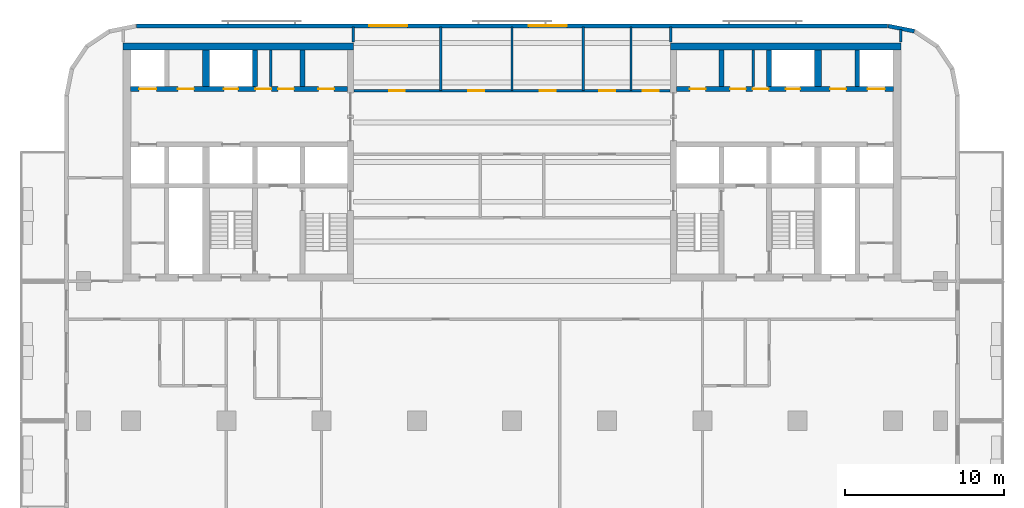
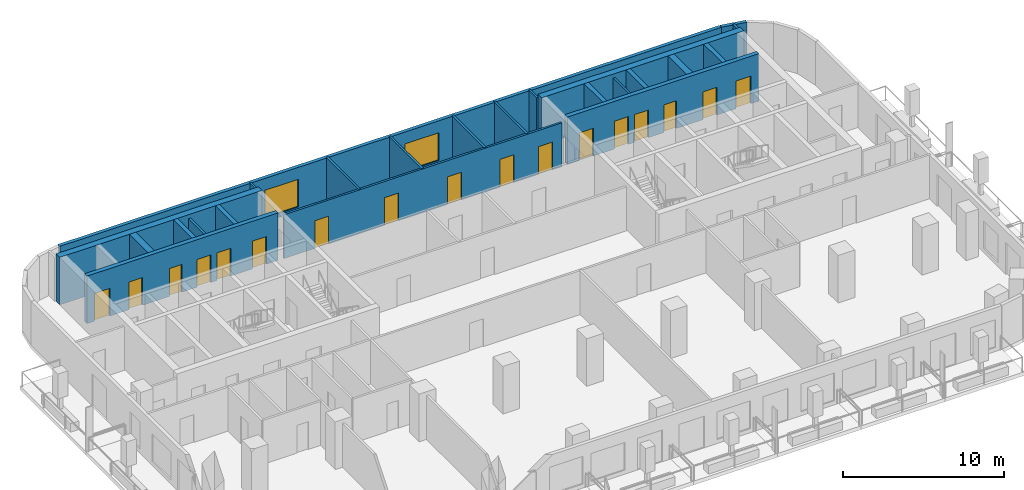
# One storey, part 6 of 11: 23 walls, 17 doors, 2 windows, 19 openings.
"""IFC4 building model written with IfcOpenShell, lengths in metres."""

from ifc_helpers import new_model, si_unit, direction, frame, frame_2d, origin, place, context, subcontext, project, spatial, rectangle, extrude, material, layer, layer_set, type_object, element, fill, save


model = new_model("IFC4")

# Units and contexts
model_context = context("Model", 3, precision=1e-05, world=origin(), true_north=direction((0.0, 1.0)))
body_context = subcontext(model_context, "Body", "Model", "MODEL_VIEW")
ifc_project = project(units=[si_unit("LENGTHUNIT", "METRE"), si_unit("AREAUNIT", "SQUARE_METRE"), si_unit("VOLUMEUNIT", "CUBIC_METRE"), si_unit("PLANEANGLEUNIT", "RADIAN"), si_unit("MASSUNIT", "GRAM", prefix="KILO")], contexts=[model_context])

# Site, building, storey
site_placement = place(None, origin())
site = spatial("IfcSite", under=ifc_project, at=site_placement, CompositionType="ELEMENT")
building_placement = place(site_placement, origin())
building = spatial("IfcBuilding", under=site, at=building_placement, Name="Torana Hotel and Residences", CompositionType="ELEMENT")
storey_placement = place(building_placement, frame((0.0, 0.0, 174.0)))
storey = spatial("IfcBuildingStorey", under=building, at=storey_placement, Name="L45", CompositionType="ELEMENT", Elevation=174.0)

# Wall, openings, doors
ifc_material_1 = material(Name="Concrete C70/85", Category="concrete")
ifc_layer_1 = layer(ifc_material_1, 0.300048828125)
ifc_layer_set_1 = layer_set([ifc_layer_1], Name="CORE WALL 300 C70/85")
wall_type_1 = type_object("IfcWallType", Name="CORE WALL 300 C70/85", PredefinedType="SHEAR", material=ifc_layer_set_1)
wall_1_placement = place(storey_placement, frame((-24.050048828125, -2.89990234375, 0.0), z_axis=(0.0, 0.0, 1.0), x_axis=(1.0, 0.0, 0.0)))
wall_1 = element("IfcWall", 1, at=wall_1_placement, inside=storey, type_object=wall_type_1, Name="Core wall W row-N", PredefinedType="SHEAR", context=body_context, shape_type="SweptSolid", body=[
    extrude(rectangle(XDim=13.699951171875, YDim=0.300048828125, at=frame_2d((6.85009765625, 0.0))), origin(), (0.0, 0.0, 1.0), 3.60009765625),
])
opening_1_placement = place(wall_1_placement, frame((0.550048828125, 0.0, 0.0)))
opening_1 = element("IfcOpeningElement", 2, at=opening_1_placement, cuts=wall_1, Name="Opening LD", PredefinedType="OPENING", context=body_context, shape_type="SweptSolid", body=[
    extrude(rectangle(XDim=1.10009765625, YDim=2.10009765625, at=frame_2d((0.550048828125, 1.050048828125))), frame((0.0, 0.159912109375, 0.0), z_axis=(0.0, -1.0, 0.0), x_axis=(1.0, 0.0, 0.0)), (0.0, 0.0, 1.0), 0.320068359375),
])
opening_2_placement = place(wall_1_placement, frame((5.89990234375, 0.0, 0.0)))
opening_2 = element("IfcOpeningElement", 3, at=opening_2_placement, cuts=wall_1, Name="Opening L45-08", PredefinedType="OPENING", context=body_context, shape_type="SweptSolid", body=[
    extrude(rectangle(XDim=0.89990234375, YDim=2.10009765625, at=frame_2d((0.449951171875, 1.050048828125))), frame((0.0, 0.159912109375, 0.0), z_axis=(0.0, -1.0, 0.0), x_axis=(1.0, 0.0, 0.0)), (0.0, 0.0, 1.0), 0.320068359375),
])
opening_3_placement = place(wall_1_placement, frame((11.85009765625, 0.0, 0.0)))
opening_3 = element("IfcOpeningElement", 4, at=opening_3_placement, cuts=wall_1, Name="Opening L45-09", PredefinedType="OPENING", context=body_context, shape_type="SweptSolid", body=[
    extrude(rectangle(XDim=1.0, YDim=2.10009765625, at=frame_2d((0.5, 1.050048828125))), frame((0.0, 0.159912109375, 0.0), z_axis=(0.0, -1.0, 0.0), x_axis=(1.0, 0.0, 0.0)), (0.0, 0.0, 1.0), 0.320068359375),
])
opening_4_placement = place(wall_1_placement, frame((9.3125, 0.0, 0.0)))
opening_4 = element("IfcOpeningElement", 5, at=opening_4_placement, cuts=wall_1, Name="Opening L45-10", PredefinedType="OPENING", context=body_context, shape_type="SweptSolid", body=[
    extrude(rectangle(XDim=1.0, YDim=2.10009765625, at=frame_2d((0.5, 1.050048828125))), frame((0.0, 0.159912109375, 0.0), z_axis=(0.0, -1.0, 0.0), x_axis=(1.0, 0.0, 0.0)), (0.0, 0.0, 1.0), 0.320068359375),
])
opening_5_placement = place(wall_1_placement, frame((7.887451171875, 0.0, 0.0)))
opening_5 = element("IfcOpeningElement", 6, at=opening_5_placement, cuts=wall_1, Name="Opening L45-11", PredefinedType="OPENING", context=body_context, shape_type="SweptSolid", body=[
    extrude(rectangle(XDim=1.0, YDim=2.10009765625, at=frame_2d((0.5, 1.050048828125))), frame((0.0, 0.159912109375, 0.0), z_axis=(0.0, -1.0, 0.0), x_axis=(1.0, 0.0, 0.0)), (0.0, 0.0, 1.0), 0.320068359375),
])
opening_6_placement = place(wall_1_placement, frame((3.0, 0.0, 0.0)))
opening_6 = element("IfcOpeningElement", 7, at=opening_6_placement, cuts=wall_1, Name="Opening L45-12", PredefinedType="OPENING", context=body_context, shape_type="SweptSolid", body=[
    extrude(rectangle(XDim=1.0, YDim=2.10009765625, at=frame_2d((0.5, 1.050048828125))), frame((0.0, 0.159912109375, 0.0), z_axis=(0.0, -1.0, 0.0), x_axis=(1.0, 0.0, 0.0)), (0.0, 0.0, 1.0), 0.320068359375),
])
ifc_material_2 = material(Name="Steel S235", Category="steel")
door_type_1 = type_object("IfcDoorType", Name="CORE ROOM FIRE DOOR D14 1000x2100", OperationType="SINGLE_SWING_LEFT", PredefinedType="DOOR", material=ifc_material_2)
door_1_placement = place(opening_3_placement, origin())
door_1 = element("IfcDoor", 8, at=door_1_placement, inside=storey, type_object=door_type_1, Name="N0 door L45", OperationType="SINGLE_SWING_RIGHT", OverallHeight=2.10009765625, OverallWidth=1.0, PredefinedType="DOOR", context=body_context, shape_type="SweptSolid", body=[
    extrude(rectangle(XDim=1.0, YDim=2.10009765625, at=frame_2d((0.5, 1.050048828125))), frame((0.0, 0.02490234375, 0.0), z_axis=(0.0, -1.0, 0.0), x_axis=(1.0, 0.0, 0.0)), (0.0, 0.0, 1.0), 0.050048828125),
])
fill(opening_3, door_1)
door_2_placement = place(opening_4_placement, origin())
door_2 = element("IfcDoor", 9, at=door_2_placement, inside=storey, type_object=door_type_1, Name="N1A door L45", OperationType="SINGLE_SWING_RIGHT", OverallHeight=2.10009765625, OverallWidth=1.0, PredefinedType="DOOR", context=body_context, shape_type="SweptSolid", body=[
    extrude(rectangle(XDim=1.0, YDim=2.10009765625, at=frame_2d((0.5, 1.050048828125))), frame((0.0, 0.02490234375, 0.0), z_axis=(0.0, -1.0, 0.0), x_axis=(1.0, 0.0, 0.0)), (0.0, 0.0, 1.0), 0.050048828125),
])
fill(opening_4, door_2)
door_3_placement = place(opening_5_placement, origin())
door_3 = element("IfcDoor", 10, at=door_3_placement, inside=storey, type_object=door_type_1, Name="N1B door L45", OperationType="SINGLE_SWING_RIGHT", OverallHeight=2.10009765625, OverallWidth=1.0, PredefinedType="DOOR", context=body_context, shape_type="SweptSolid", body=[
    extrude(rectangle(XDim=1.0, YDim=2.10009765625, at=frame_2d((0.5, 1.050048828125))), frame((0.0, 0.02490234375, 0.0), z_axis=(0.0, -1.0, 0.0), x_axis=(1.0, 0.0, 0.0)), (0.0, 0.0, 1.0), 0.050048828125),
])
fill(opening_5, door_3)
door_4_placement = place(opening_6_placement, origin())
door_4 = element("IfcDoor", 11, at=door_4_placement, inside=storey, type_object=door_type_1, Name="Freed-S1 door L45", OperationType="SINGLE_SWING_RIGHT", OverallHeight=2.10009765625, OverallWidth=1.0, PredefinedType="DOOR", context=body_context, shape_type="SweptSolid", body=[
    extrude(rectangle(XDim=1.0, YDim=2.10009765625, at=frame_2d((0.5, 1.050048828125))), frame((0.0, 0.02490234375, 0.0), z_axis=(0.0, -1.0, 0.0), x_axis=(1.0, 0.0, 0.0)), (0.0, 0.0, 1.0), 0.050048828125),
])
fill(opening_6, door_4)
ifc_material_3 = material(Name="Stainless steel 316", Category="steel")
door_type_2 = type_object("IfcDoorType", Name="LIFT LANDING DOOR LD 1100x2100", OperationType="DOUBLE_DOOR_SLIDING", PredefinedType="USERDEFINED", material=ifc_material_3)
door_5_placement = place(opening_1_placement, origin())
door_5 = element("IfcDoor", 12, at=door_5_placement, inside=storey, type_object=door_type_2, Name="Lift landing door M1 L45", ObjectType="LIFT LANDING DOOR", OperationType="DOUBLE_DOOR_SLIDING", OverallHeight=2.10009765625, OverallWidth=1.10009765625, PredefinedType="USERDEFINED", context=body_context, shape_type="SweptSolid", body=[
    extrude(rectangle(XDim=1.10009765625, YDim=2.10009765625, at=frame_2d((0.550048828125, 1.050048828125))), frame((0.0, 0.02490234375, 0.0), z_axis=(0.0, -1.0, 0.0), x_axis=(1.0, 0.0, 0.0)), (0.0, 0.0, 1.0), 0.050048828125),
])
fill(opening_1, door_5)
ifc_material_4 = material(Name="Steel S235", Category="steel")
door_type_3 = type_object("IfcDoorType", Name="RISER ACCESS DOOR D5 900x2100", OperationType="SINGLE_SWING_LEFT", PredefinedType="DOOR", material=ifc_material_4)
door_6_placement = place(opening_2_placement, origin())
door_6 = element("IfcDoor", 13, at=door_6_placement, inside=storey, type_object=door_type_3, Name="N2 door L45", OperationType="SINGLE_SWING_RIGHT", OverallHeight=2.10009765625, OverallWidth=0.89990234375, PredefinedType="DOOR", context=body_context, shape_type="SweptSolid", body=[
    extrude(rectangle(XDim=0.89990234375, YDim=2.10009765625, at=frame_2d((0.449951171875, 1.050048828125))), frame((0.0, 0.02490234375, 0.0), z_axis=(0.0, -1.0, 0.0), x_axis=(1.0, 0.0, 0.0)), (0.0, 0.0, 1.0), 0.050048828125),
])
fill(opening_2, door_6)

# Walls
for number, where, z_axis, x_axis, name in (
    (14, (-13.199951171875, -2.75, 0.0), (0.0, 0.0, 1.0), (0.0, 1.0, 0.0), "Core wall W x3.05-N"),
    (15, (-16.199951171875, -2.75, 0.0), (0.0, 0.0, 1.0), (0.0, 1.0, 0.0), "Core wall W x6.05-N"),
):
    element("IfcWall", number, at=place(storey_placement, frame(where, z_axis=z_axis, x_axis=x_axis)), inside=storey, type_object=wall_type_1, Name=name, PredefinedType="SHEAR", context=body_context, shape_type="SweptSolid", body=[
        extrude(rectangle(XDim=2.300048828125, YDim=0.300048828125, at=frame_2d((1.14990234375, 0.0))), origin(), (0.0, 0.0, 1.0), 3.60009765625),
    ])

# Wall, openings, doors
wall_2_placement = place(storey_placement, frame((10.35009765625, -2.89990234375, 0.0), z_axis=(0.0, 0.0, 1.0), x_axis=(1.0, 0.0, 0.0)))
wall_2 = element("IfcWall", 16, at=wall_2_placement, inside=storey, type_object=wall_type_1, Name="Core wall E row-N", PredefinedType="SHEAR", context=body_context, shape_type="SweptSolid", body=[
    extrude(rectangle(XDim=13.699951171875, YDim=0.300048828125, at=frame_2d((6.85009765625, 0.0))), origin(), (0.0, 0.0, 1.0), 3.60009765625),
])
opening_7_placement = place(wall_2_placement, frame((12.050048828125, 0.0, 0.0)))
opening_7 = element("IfcOpeningElement", 17, at=opening_7_placement, cuts=wall_2, Name="Opening LD", PredefinedType="OPENING", context=body_context, shape_type="SweptSolid", body=[
    extrude(rectangle(XDim=1.10009765625, YDim=2.10009765625, at=frame_2d((0.550048828125, 1.050048828125))), frame((0.0, 0.159912109375, 0.0), z_axis=(0.0, -1.0, 0.0), x_axis=(1.0, 0.0, 0.0)), (0.0, 0.0, 1.0), 0.320068359375),
])
opening_8_placement = place(wall_2_placement, frame((6.89990234375, 0.0, 0.0)))
opening_8 = element("IfcOpeningElement", 18, at=opening_8_placement, cuts=wall_2, Name="Opening L45-22", PredefinedType="OPENING", context=body_context, shape_type="SweptSolid", body=[
    extrude(rectangle(XDim=0.89990234375, YDim=2.10009765625, at=frame_2d((0.449951171875, 1.050048828125))), frame((0.0, 0.159912109375, 0.0), z_axis=(0.0, -1.0, 0.0), x_axis=(1.0, 0.0, 0.0)), (0.0, 0.0, 1.0), 0.320068359375),
])
opening_9_placement = place(wall_2_placement, frame((0.85009765625, 0.0, 0.0)))
opening_9 = element("IfcOpeningElement", 19, at=opening_9_placement, cuts=wall_2, Name="Opening L45-23", PredefinedType="OPENING", context=body_context, shape_type="SweptSolid", body=[
    extrude(rectangle(XDim=1.0, YDim=2.10009765625, at=frame_2d((0.5, 1.050048828125))), frame((0.0, 0.159912109375, 0.0), z_axis=(0.0, -1.0, 0.0), x_axis=(1.0, 0.0, 0.0)), (0.0, 0.0, 1.0), 0.320068359375),
])
opening_10_placement = place(wall_2_placement, frame((3.387451171875, 0.0, 0.0)))
opening_10 = element("IfcOpeningElement", 20, at=opening_10_placement, cuts=wall_2, Name="Opening L45-24", PredefinedType="OPENING", context=body_context, shape_type="SweptSolid", body=[
    extrude(rectangle(XDim=1.0, YDim=2.10009765625, at=frame_2d((0.5, 1.050048828125))), frame((0.0, 0.159912109375, 0.0), z_axis=(0.0, -1.0, 0.0), x_axis=(1.0, 0.0, 0.0)), (0.0, 0.0, 1.0), 0.320068359375),
])
opening_11_placement = place(wall_2_placement, frame((4.8125, 0.0, 0.0)))
opening_11 = element("IfcOpeningElement", 21, at=opening_11_placement, cuts=wall_2, Name="Opening L45-25", PredefinedType="OPENING", context=body_context, shape_type="SweptSolid", body=[
    extrude(rectangle(XDim=1.0, YDim=2.10009765625, at=frame_2d((0.5, 1.050048828125))), frame((0.0, 0.159912109375, 0.0), z_axis=(0.0, -1.0, 0.0), x_axis=(1.0, 0.0, 0.0)), (0.0, 0.0, 1.0), 0.320068359375),
])
opening_12_placement = place(wall_2_placement, frame((9.699951171875, 0.0, 0.0)))
opening_12 = element("IfcOpeningElement", 22, at=opening_12_placement, cuts=wall_2, Name="Opening L45-26", PredefinedType="OPENING", context=body_context, shape_type="SweptSolid", body=[
    extrude(rectangle(XDim=1.0, YDim=2.10009765625, at=frame_2d((0.5, 1.050048828125))), frame((0.0, 0.159912109375, 0.0), z_axis=(0.0, -1.0, 0.0), x_axis=(1.0, 0.0, 0.0)), (0.0, 0.0, 1.0), 0.320068359375),
])
door_7_placement = place(opening_9_placement, origin())
door_7 = element("IfcDoor", 23, at=door_7_placement, inside=storey, type_object=door_type_1, Name="N0 door L45", OperationType="SINGLE_SWING_RIGHT", OverallHeight=2.10009765625, OverallWidth=1.0, PredefinedType="DOOR", context=body_context, shape_type="SweptSolid", body=[
    extrude(rectangle(XDim=1.0, YDim=2.10009765625, at=frame_2d((0.5, 1.050048828125))), frame((0.0, 0.02490234375, 0.0), z_axis=(0.0, -1.0, 0.0), x_axis=(1.0, 0.0, 0.0)), (0.0, 0.0, 1.0), 0.050048828125),
])
fill(opening_9, door_7)
door_8_placement = place(opening_10_placement, origin())
door_8 = element("IfcDoor", 24, at=door_8_placement, inside=storey, type_object=door_type_1, Name="N1A door L45", OperationType="SINGLE_SWING_RIGHT", OverallHeight=2.10009765625, OverallWidth=1.0, PredefinedType="DOOR", context=body_context, shape_type="SweptSolid", body=[
    extrude(rectangle(XDim=1.0, YDim=2.10009765625, at=frame_2d((0.5, 1.050048828125))), frame((0.0, 0.02490234375, 0.0), z_axis=(0.0, -1.0, 0.0), x_axis=(1.0, 0.0, 0.0)), (0.0, 0.0, 1.0), 0.050048828125),
])
fill(opening_10, door_8)
door_9_placement = place(opening_11_placement, origin())
door_9 = element("IfcDoor", 25, at=door_9_placement, inside=storey, type_object=door_type_1, Name="N1B door L45", OperationType="SINGLE_SWING_LEFT", OverallHeight=2.10009765625, OverallWidth=1.0, PredefinedType="DOOR", context=body_context, shape_type="SweptSolid", body=[
    extrude(rectangle(XDim=1.0, YDim=2.10009765625, at=frame_2d((0.5, 1.050048828125))), frame((0.0, 0.02490234375, 0.0), z_axis=(0.0, -1.0, 0.0), x_axis=(1.0, 0.0, 0.0)), (0.0, 0.0, 1.0), 0.050048828125),
])
fill(opening_11, door_9)
door_10_placement = place(opening_12_placement, origin())
door_10 = element("IfcDoor", 26, at=door_10_placement, inside=storey, type_object=door_type_1, Name="Freed-S2 door L45", OperationType="SINGLE_SWING_RIGHT", OverallHeight=2.10009765625, OverallWidth=1.0, PredefinedType="DOOR", context=body_context, shape_type="SweptSolid", body=[
    extrude(rectangle(XDim=1.0, YDim=2.10009765625, at=frame_2d((0.5, 1.050048828125))), frame((0.0, 0.02490234375, 0.0), z_axis=(0.0, -1.0, 0.0), x_axis=(1.0, 0.0, 0.0)), (0.0, 0.0, 1.0), 0.050048828125),
])
fill(opening_12, door_10)
door_11_placement = place(opening_7_placement, origin())
door_11 = element("IfcDoor", 27, at=door_11_placement, inside=storey, type_object=door_type_2, Name="Lift landing door M3 L45", ObjectType="LIFT LANDING DOOR", OperationType="DOUBLE_DOOR_SLIDING", OverallHeight=2.10009765625, OverallWidth=1.10009765625, PredefinedType="USERDEFINED", context=body_context, shape_type="SweptSolid", body=[
    extrude(rectangle(XDim=1.10009765625, YDim=2.10009765625, at=frame_2d((0.550048828125, 1.050048828125))), frame((0.0, 0.02490234375, 0.0), z_axis=(0.0, -1.0, 0.0), x_axis=(1.0, 0.0, 0.0)), (0.0, 0.0, 1.0), 0.050048828125),
])
fill(opening_7, door_11)
door_12_placement = place(opening_8_placement, origin())
door_12 = element("IfcDoor", 28, at=door_12_placement, inside=storey, type_object=door_type_3, Name="N2 door L45", OperationType="SINGLE_SWING_RIGHT", OverallHeight=2.10009765625, OverallWidth=0.89990234375, PredefinedType="DOOR", context=body_context, shape_type="SweptSolid", body=[
    extrude(rectangle(XDim=0.89990234375, YDim=2.10009765625, at=frame_2d((0.449951171875, 1.050048828125))), frame((0.0, 0.02490234375, 0.0), z_axis=(0.0, -1.0, 0.0), x_axis=(1.0, 0.0, 0.0)), (0.0, 0.0, 1.0), 0.050048828125),
])
fill(opening_8, door_12)

# Walls
for number, where, z_axis, x_axis, name in (
    (29, (13.199951171875, -2.75, 0.0), (0.0, 0.0, 1.0), (0.0, 1.0, 0.0), "Core wall E x3.05-N"),
    (30, (16.199951171875, -2.75, 0.0), (0.0, 0.0, 1.0), (0.0, 1.0, 0.0), "Core wall E x6.05-N"),
    (31, (21.75, -2.75, 0.0), (0.0, 0.0, 1.0), (0.0, 1.0, 0.0), "Core wall E mm-N"),
):
    element("IfcWall", number, at=place(storey_placement, frame(where, z_axis=z_axis, x_axis=x_axis)), inside=storey, type_object=wall_type_1, Name=name, PredefinedType="SHEAR", context=body_context, shape_type="SweptSolid", body=[
        extrude(rectangle(XDim=2.300048828125, YDim=0.300048828125, at=frame_2d((1.14990234375, 0.0))), origin(), (0.0, 0.0, 1.0), 3.60009765625),
    ])
ifc_material_5 = material(Name="Concrete C70/85", Category="concrete")
ifc_layer_2 = layer(ifc_material_5, 0.449951171875)
ifc_layer_set_2 = layer_set([ifc_layer_2], Name="CORE WALL 450 C70/85")
wall_type_2 = type_object("IfcWallType", Name="CORE WALL 450 C70/85", PredefinedType="SHEAR", material=ifc_layer_set_2)
wall_3_placement = place(storey_placement, frame((-24.5, -0.22509765625, 0.0), z_axis=(0.0, 0.0, 1.0), x_axis=(1.0, 0.0, 0.0)))
element("IfcWall", 32, at=wall_3_placement, inside=storey, type_object=wall_type_2, Name="Core wall W rear", PredefinedType="SHEAR", context=body_context, shape_type="SweptSolid", body=[
    extrude(rectangle(XDim=14.5, YDim=0.449951171875, at=frame_2d((7.25, 0.0))), origin(), (0.0, 0.0, 1.0), 3.60009765625),
])
wall_4_placement = place(storey_placement, frame((-19.27490234375, -2.75, 0.0), z_axis=(0.0, 0.0, 1.0), x_axis=(0.0, 1.0, 0.0)))
element("IfcWall", 33, at=wall_4_placement, inside=storey, type_object=wall_type_2, Name="Core wall W hm-N", PredefinedType="SHEAR", context=body_context, shape_type="SweptSolid", body=[
    extrude(rectangle(XDim=2.300048828125, YDim=0.449951171875, at=frame_2d((1.14990234375, 0.0))), origin(), (0.0, 0.0, 1.0), 3.60009765625),
])
wall_5_placement = place(storey_placement, frame((10.0, -0.22509765625, 0.0), z_axis=(0.0, 0.0, 1.0), x_axis=(1.0, 0.0, 0.0)))
element("IfcWall", 34, at=wall_5_placement, inside=storey, type_object=wall_type_2, Name="Core wall E rear", PredefinedType="SHEAR", context=body_context, shape_type="SweptSolid", body=[
    extrude(rectangle(XDim=14.5, YDim=0.449951171875, at=frame_2d((7.25, 0.0))), origin(), (0.0, 0.0, 1.0), 3.60009765625),
])
wall_6_placement = place(storey_placement, frame((19.27490234375, -2.75, 0.0), z_axis=(0.0, 0.0, 1.0), x_axis=(0.0, 1.0, 0.0)))
element("IfcWall", 35, at=wall_6_placement, inside=storey, type_object=wall_type_2, Name="Core wall E hm-N", PredefinedType="SHEAR", context=body_context, shape_type="SweptSolid", body=[
    extrude(rectangle(XDim=2.300048828125, YDim=0.449951171875, at=frame_2d((1.14990234375, 0.0))), origin(), (0.0, 0.0, 1.0), 3.60009765625),
])
ifc_material_6 = material(Name="Black aluminium composite panel", Category="aluminium")
ifc_layer_3 = layer(ifc_material_6, 0.00390625, Name="Cladding", Category="cladding")
ifc_material_7 = material(Name="Ventilated air cavity")
ifc_layer_4 = layer(ifc_material_7, 0.0400390625, Name="Ventilated cavity", Category="cavity")
ifc_material_8 = material(Name="Mineral wool insulation")
ifc_layer_5 = layer(ifc_material_8, 0.090087890625, Name="Insulation", Category="insulation")
ifc_material_9 = material(Name="Steel S280GD", Category="steel")
ifc_layer_6 = layer(ifc_material_9, 0.092041015625, Name="Steel stud frame", Category="structure")
ifc_material_10 = material(Name="Fire rated plasterboard")
ifc_layer_7 = layer(ifc_material_10, 0.011962890625, Name="Inner board", Category="finish")
ifc_layer_8 = layer(ifc_material_10, 0.011962890625, Name="Second board", Category="finish")
ifc_layer_set_3 = layer_set([ifc_layer_3, ifc_layer_4, ifc_layer_5, ifc_layer_6, ifc_layer_7, ifc_layer_8], Name="EW1 EXTERNAL WALL BLACK METAL CLAD 250")
wall_type_3 = type_object("IfcWallType", Name="EW1 EXTERNAL WALL BLACK METAL CLAD 250", PredefinedType="SOLIDWALL", material=ifc_layer_set_3)
wall_7_placement = place(storey_placement, frame((25.348876953125, 0.74462890625, 0.0), z_axis=(0.0, 0.0, 1.0), x_axis=(-0.980803419081, 0.194999110559, 0.0)))
element("IfcWall", 36, at=wall_7_placement, inside=storey, type_object=wall_type_3, Name="External wall L45 e0.3", PredefinedType="SOLIDWALL", context=body_context, shape_type="SweptSolid", body=[
    extrude(rectangle(XDim=1.681396484375, YDim=0.25, at=frame_2d((0.8408203125, 0.0))), origin(), (0.0, 0.0, 1.0), 3.300048828125),
])

# Wall, openings, windows
ifc_material_11 = material(Name="Concrete C40/50 precast", Category="concrete")
ifc_layer_9 = layer(ifc_material_11, 0.10009765625, Name="Perforated block", Category="cladding")
ifc_material_12 = material(Name="Air cavity")
ifc_layer_10 = layer(ifc_material_12, 0.030029296875, Name="Cavity", Category="cavity")
ifc_material_13 = material(Name="Concrete C40/50", Category="concrete")
ifc_layer_11 = layer(ifc_material_13, 0.10009765625, Name="Wall", Category="structure")
ifc_material_14 = material(Name="Plaster and paint")
ifc_layer_12 = layer(ifc_material_14, 0.02001953125, Name="Inner finish", Category="finish")
ifc_layer_set_4 = layer_set([ifc_layer_9, ifc_layer_10, ifc_layer_11, ifc_layer_12], Name="EW2 PERFORATED BLOCK SCREEN WALL 250")
wall_type_4 = type_object("IfcWallType", Name="EW2 PERFORATED BLOCK SCREEN WALL 250", PredefinedType="SOLIDWALL", material=ifc_layer_set_4)
wall_8_placement = place(storey_placement, frame((23.67529296875, 1.074951171875, 0.0), z_axis=(0.0, 0.0, 1.0), x_axis=(-1.0, 0.0, 0.0)))
wall_8 = element("IfcWall", 37, at=wall_8_placement, inside=storey, type_object=wall_type_4, Name="External wall L45 e0.4", PredefinedType="SOLIDWALL", context=body_context, shape_type="SweptSolid", body=[
    extrude(rectangle(XDim=47.3505859375, YDim=0.25, at=frame_2d((23.67529296875, 0.0))), origin(), (0.0, 0.0, 1.0), 3.300048828125),
])
opening_13_placement = place(wall_8_placement, frame((20.225341796875, 0.0, 0.300048828125)))
opening_13 = element("IfcOpeningElement", 38, at=opening_13_placement, cuts=wall_8, Name="Opening W1", PredefinedType="OPENING", context=body_context, shape_type="SweptSolid", body=[
    extrude(rectangle(XDim=2.39990234375, YDim=2.10009765625, at=frame_2d((1.199951171875, 1.050048828125))), frame((0.0, 0.135009765625, 0.0), z_axis=(0.0, -1.0, 0.0), x_axis=(1.0, 0.0, 0.0)), (0.0, 0.0, 1.0), 0.27001953125),
])
opening_14_placement = place(wall_8_placement, frame((30.275390625, 0.0, 0.300048828125)))
opening_14 = element("IfcOpeningElement", 39, at=opening_14_placement, cuts=wall_8, Name="Opening W1", PredefinedType="OPENING", context=body_context, shape_type="SweptSolid", body=[
    extrude(rectangle(XDim=2.39990234375, YDim=2.10009765625, at=frame_2d((1.199951171875, 1.050048828125))), frame((0.0, 0.135009765625, 0.0), z_axis=(0.0, -1.0, 0.0), x_axis=(1.0, 0.0, 0.0)), (0.0, 0.0, 1.0), 0.27001953125),
])
ifc_material_15 = material(Name="Dark glass in black aluminium frame", Category="aluminium")
window_type = type_object("IfcWindowType", Name="W1 HOTEL ROOM WINDOW 2400x2100", PartitioningType="SINGLE_PANEL", PredefinedType="WINDOW", material=ifc_material_15)
window_1_placement = place(opening_13_placement, origin())
window_1 = element("IfcWindow", 40, at=window_1_placement, inside=storey, type_object=window_type, Name="Window L45", OverallHeight=2.10009765625, OverallWidth=2.39990234375, PartitioningType="SINGLE_PANEL", PredefinedType="WINDOW", context=body_context, shape_type="SweptSolid", body=[
    extrude(rectangle(XDim=2.39990234375, YDim=2.10009765625, at=frame_2d((1.199951171875, 1.050048828125))), frame((0.0, 0.030029296875, 0.0), z_axis=(0.0, -1.0, 0.0), x_axis=(1.0, 0.0, 0.0)), (0.0, 0.0, 1.0), 0.06005859375),
])
fill(opening_13, window_1)
window_2_placement = place(opening_14_placement, origin())
window_2 = element("IfcWindow", 41, at=window_2_placement, inside=storey, type_object=window_type, Name="Window L45", OverallHeight=2.10009765625, OverallWidth=2.39990234375, PartitioningType="SINGLE_PANEL", PredefinedType="WINDOW", context=body_context, shape_type="SweptSolid", body=[
    extrude(rectangle(XDim=2.39990234375, YDim=2.10009765625, at=frame_2d((1.199951171875, 1.050048828125))), frame((0.0, 0.030029296875, 0.0), z_axis=(0.0, -1.0, 0.0), x_axis=(1.0, 0.0, 0.0)), (0.0, 0.0, 1.0), 0.06005859375),
])
fill(opening_14, window_2)

# Walls
ifc_material_16 = material(Name="Gypsum plaster")
ifc_layer_13 = layer(ifc_material_16, 0.014892578125, Name="Plaster", Category="finish")
ifc_material_17 = material(Name="Concrete blockwork", Category="masonry")
ifc_layer_14 = layer(ifc_material_17, 0.1201171875, Name="Blockwork", Category="structure")
ifc_layer_15 = layer(ifc_material_16, 0.014892578125, Name="Plaster", Category="finish")
ifc_layer_set_5 = layer_set([ifc_layer_13, ifc_layer_14, ifc_layer_15], Name="FIRE PARTITION 150 BLOCKWORK")
wall_type_5 = type_object("IfcWallType", Name="FIRE PARTITION 150 BLOCKWORK", PredefinedType="PARTITIONING", material=ifc_layer_set_5)
for number, where, z_axis, x_axis, name in (
    (42, (-15.199951171875, -2.75, 0.0), (0.0, 0.0, 1.0), (0.0, 1.0, 0.0), "Core partition L45"),
    (43, (15.199951171875, -2.75, 0.0), (0.0, 0.0, 1.0), (0.0, 1.0, 0.0), "Core partition L45"),
):
    element("IfcWall", number, at=place(storey_placement, frame(where, z_axis=z_axis, x_axis=x_axis)), inside=storey, type_object=wall_type_5, Name=name, PredefinedType="PARTITIONING", context=body_context, shape_type="SweptSolid", body=[
        extrude(rectangle(XDim=2.300048828125, YDim=0.14990234375, at=frame_2d((1.14990234375, 0.0))), origin(), (0.0, 0.0, 1.0), 3.300048828125),
    ])

# Wall, openings, doors
wall_9_placement = place(storey_placement, frame((-9.949951171875, -3.0, 0.0), z_axis=(0.0, 0.0, 1.0), x_axis=(1.0, 0.0, 0.0)))
wall_9 = element("IfcWall", 44, at=wall_9_placement, inside=storey, type_object=wall_type_5, Name="Partition L45", PredefinedType="PARTITIONING", context=body_context, shape_type="SweptSolid", body=[
    extrude(rectangle(XDim=19.89990234375, YDim=0.14990234375, at=frame_2d((9.949951171875, 0.0))), origin(), (0.0, 0.0, 1.0), 3.320068359375),
])
opening_15_placement = place(wall_9_placement, frame((2.199951171875, 0.0, 0.0)))
opening_15 = element("IfcOpeningElement", 45, at=opening_15_placement, cuts=wall_9, Name="Opening L45-44", PredefinedType="OPENING", context=body_context, shape_type="SweptSolid", body=[
    extrude(rectangle(XDim=1.0, YDim=2.10009765625, at=frame_2d((0.5, 1.050048828125))), frame((0.0, 0.0849609375, 0.0), z_axis=(0.0, -1.0, 0.0), x_axis=(1.0, 0.0, 0.0)), (0.0, 0.0, 1.0), 0.169921875),
])
opening_16_placement = place(wall_9_placement, frame((7.199951171875, 0.0, 0.0)))
opening_16 = element("IfcOpeningElement", 46, at=opening_16_placement, cuts=wall_9, Name="Opening L45-45", PredefinedType="OPENING", context=body_context, shape_type="SweptSolid", body=[
    extrude(rectangle(XDim=1.0, YDim=2.10009765625, at=frame_2d((0.5, 1.050048828125))), frame((0.0, 0.0849609375, 0.0), z_axis=(0.0, -1.0, 0.0), x_axis=(1.0, 0.0, 0.0)), (0.0, 0.0, 1.0), 0.169921875),
])
opening_17_placement = place(wall_9_placement, frame((11.699951171875, 0.0, 0.0)))
opening_17 = element("IfcOpeningElement", 47, at=opening_17_placement, cuts=wall_9, Name="Opening L45-46", PredefinedType="OPENING", context=body_context, shape_type="SweptSolid", body=[
    extrude(rectangle(XDim=1.0, YDim=2.10009765625, at=frame_2d((0.5, 1.050048828125))), frame((0.0, 0.0849609375, 0.0), z_axis=(0.0, -1.0, 0.0), x_axis=(1.0, 0.0, 0.0)), (0.0, 0.0, 1.0), 0.169921875),
])
opening_18_placement = place(wall_9_placement, frame((15.449951171875, 0.0, 0.0)))
opening_18 = element("IfcOpeningElement", 48, at=opening_18_placement, cuts=wall_9, Name="Opening L45-47", PredefinedType="OPENING", context=body_context, shape_type="SweptSolid", body=[
    extrude(rectangle(XDim=1.0, YDim=2.10009765625, at=frame_2d((0.5, 1.050048828125))), frame((0.0, 0.0849609375, 0.0), z_axis=(0.0, -1.0, 0.0), x_axis=(1.0, 0.0, 0.0)), (0.0, 0.0, 1.0), 0.169921875),
])
opening_19_placement = place(wall_9_placement, frame((18.199951171875, 0.0, 0.0)))
opening_19 = element("IfcOpeningElement", 49, at=opening_19_placement, cuts=wall_9, Name="Opening L45-48", PredefinedType="OPENING", context=body_context, shape_type="SweptSolid", body=[
    extrude(rectangle(XDim=1.0, YDim=2.10009765625, at=frame_2d((0.5, 1.050048828125))), frame((0.0, 0.0849609375, 0.0), z_axis=(0.0, -1.0, 0.0), x_axis=(1.0, 0.0, 0.0)), (0.0, 0.0, 1.0), 0.169921875),
])
ifc_material_18 = material(Name="Steel S235", Category="steel")
door_type_4 = type_object("IfcDoorType", Name="ENTRY FIRE DOOR D6 1000x2100", OperationType="SINGLE_SWING_LEFT", PredefinedType="DOOR", material=ifc_material_18)
door_13_placement = place(opening_15_placement, origin())
door_13 = element("IfcDoor", 50, at=door_13_placement, inside=storey, type_object=door_type_4, Name="Door L45", OperationType="SINGLE_SWING_RIGHT", OverallHeight=2.10009765625, OverallWidth=1.0, PredefinedType="DOOR", context=body_context, shape_type="SweptSolid", body=[
    extrude(rectangle(XDim=1.0, YDim=2.10009765625, at=frame_2d((0.5, 1.050048828125))), frame((0.0, 0.02490234375, 0.0), z_axis=(0.0, -1.0, 0.0), x_axis=(1.0, 0.0, 0.0)), (0.0, 0.0, 1.0), 0.050048828125),
])
fill(opening_15, door_13)
door_14_placement = place(opening_16_placement, origin())
door_14 = element("IfcDoor", 51, at=door_14_placement, inside=storey, type_object=door_type_4, Name="Door L45", OperationType="SINGLE_SWING_RIGHT", OverallHeight=2.10009765625, OverallWidth=1.0, PredefinedType="DOOR", context=body_context, shape_type="SweptSolid", body=[
    extrude(rectangle(XDim=1.0, YDim=2.10009765625, at=frame_2d((0.5, 1.050048828125))), frame((0.0, 0.02490234375, 0.0), z_axis=(0.0, -1.0, 0.0), x_axis=(1.0, 0.0, 0.0)), (0.0, 0.0, 1.0), 0.050048828125),
])
fill(opening_16, door_14)
door_15_placement = place(opening_17_placement, origin())
door_15 = element("IfcDoor", 52, at=door_15_placement, inside=storey, type_object=door_type_4, Name="Door L45", OperationType="SINGLE_SWING_RIGHT", OverallHeight=2.10009765625, OverallWidth=1.0, PredefinedType="DOOR", context=body_context, shape_type="SweptSolid", body=[
    extrude(rectangle(XDim=1.0, YDim=2.10009765625, at=frame_2d((0.5, 1.050048828125))), frame((0.0, 0.02490234375, 0.0), z_axis=(0.0, -1.0, 0.0), x_axis=(1.0, 0.0, 0.0)), (0.0, 0.0, 1.0), 0.050048828125),
])
fill(opening_17, door_15)
door_16_placement = place(opening_18_placement, origin())
door_16 = element("IfcDoor", 53, at=door_16_placement, inside=storey, type_object=door_type_4, Name="Door L45", OperationType="SINGLE_SWING_RIGHT", OverallHeight=2.10009765625, OverallWidth=1.0, PredefinedType="DOOR", context=body_context, shape_type="SweptSolid", body=[
    extrude(rectangle(XDim=1.0, YDim=2.10009765625, at=frame_2d((0.5, 1.050048828125))), frame((0.0, 0.02490234375, 0.0), z_axis=(0.0, -1.0, 0.0), x_axis=(1.0, 0.0, 0.0)), (0.0, 0.0, 1.0), 0.050048828125),
])
fill(opening_18, door_16)
door_17_placement = place(opening_19_placement, origin())
door_17 = element("IfcDoor", 54, at=door_17_placement, inside=storey, type_object=door_type_4, Name="Door L45", OperationType="SINGLE_SWING_RIGHT", OverallHeight=2.10009765625, OverallWidth=1.0, PredefinedType="DOOR", context=body_context, shape_type="SweptSolid", body=[
    extrude(rectangle(XDim=1.0, YDim=2.10009765625, at=frame_2d((0.5, 1.050048828125))), frame((0.0, 0.02490234375, 0.0), z_axis=(0.0, -1.0, 0.0), x_axis=(1.0, 0.0, 0.0)), (0.0, 0.0, 1.0), 0.050048828125),
])
fill(opening_19, door_17)

# Walls
ifc_material_19 = material(Name="Gypsum plasterboard")
ifc_layer_16 = layer(ifc_material_19, 0.012451171875, Name="Plasterboard", Category="finish")
ifc_layer_17 = layer(ifc_material_19, 0.012451171875, Name="Plasterboard", Category="finish")
ifc_layer_18 = layer(ifc_material_9, 0.10009765625, Name="Steel studs with mineral wool", Category="insulation")
ifc_layer_19 = layer(ifc_material_19, 0.012451171875, Name="Plasterboard", Category="finish")
ifc_layer_20 = layer(ifc_material_19, 0.012451171875, Name="Plasterboard", Category="finish")
ifc_layer_set_6 = layer_set([ifc_layer_16, ifc_layer_17, ifc_layer_18, ifc_layer_19, ifc_layer_20], Name="PARTITION 150 PLASTERBOARD")
wall_type_6 = type_object("IfcWallType", Name="PARTITION 150 PLASTERBOARD", PredefinedType="PARTITIONING", material=ifc_layer_set_6)
wall_10_placement = place(storey_placement, frame((24.5, 0.050048828125, 0.0), z_axis=(0.0, 0.0, 1.0), x_axis=(0.0, 1.0, 0.0)))
element("IfcWall", 55, at=wall_10_placement, inside=storey, type_object=wall_type_6, Name="Partition L45", PredefinedType="PARTITIONING", context=body_context, shape_type="SweptSolid", body=[
    extrude(rectangle(XDim=0.807373046875, YDim=0.14990234375, at=frame_2d((0.40380859375, 0.0))), origin(), (0.0, 0.0, 1.0), 3.320068359375),
])
for number, where, z_axis, x_axis, name in (
    (56, (0.0, -3.0, 0.0), (0.0, 0.0, 1.0), (0.0, 1.0, 0.0), "Partition L45"),
    (57, (-4.5, -3.0, 0.0), (0.0, 0.0, 1.0), (0.0, 1.0, 0.0), "Partition L45"),
):
    element("IfcWall", number, at=place(storey_placement, frame(where, z_axis=z_axis, x_axis=x_axis)), inside=storey, type_object=wall_type_6, Name=name, PredefinedType="PARTITIONING", context=body_context, shape_type="SweptSolid", body=[
        extrude(rectangle(XDim=4.02001953125, YDim=0.14990234375, at=frame_2d((2.010009765625, 0.0))), origin(), (0.0, 0.0, 1.0), 3.320068359375),
    ])
wall_11_placement = place(storey_placement, frame((-10.0, 0.050048828125, 0.0), z_axis=(0.0, 0.0, 1.0), x_axis=(0.0, 1.0, 0.0)))
element("IfcWall", 58, at=wall_11_placement, inside=storey, type_object=wall_type_6, Name="Partition L45", PredefinedType="PARTITIONING", context=body_context, shape_type="SweptSolid", body=[
    extrude(rectangle(XDim=0.969970703125, YDim=0.14990234375, at=frame_2d((0.48486328125, 0.0))), origin(), (0.0, 0.0, 1.0), 3.320068359375),
])
ifc_material_20 = material(Name="Ceramic tile on adhesive")
ifc_layer_21 = layer(ifc_material_20, 0.010009765625, Name="Wall tile", Category="finish")
ifc_material_21 = material(Name="Cement render")
ifc_layer_22 = layer(ifc_material_21, 0.010009765625, Name="Render", Category="finish")
ifc_layer_23 = layer(ifc_material_17, 0.110107421875, Name="Blockwork", Category="structure")
ifc_layer_24 = layer(ifc_material_21, 0.010009765625, Name="Render", Category="finish")
ifc_layer_25 = layer(ifc_material_20, 0.010009765625, Name="Wall tile", Category="finish")
ifc_layer_set_7 = layer_set([ifc_layer_21, ifc_layer_22, ifc_layer_23, ifc_layer_24, ifc_layer_25], Name="WC PARTITION 150")
wall_type_7 = type_object("IfcWallType", Name="WC PARTITION 150", PredefinedType="PLUMBINGWALL", material=ifc_layer_set_7)
wall_12_placement = place(storey_placement, frame((10.0, 0.050048828125, 0.0), z_axis=(0.0, 0.0, 1.0), x_axis=(0.0, 1.0, 0.0)))
element("IfcWall", 59, at=wall_12_placement, inside=storey, type_object=wall_type_7, Name="Partition L45", PredefinedType="PLUMBINGWALL", context=body_context, shape_type="SweptSolid", body=[
    extrude(rectangle(XDim=0.969970703125, YDim=0.14990234375, at=frame_2d((0.48486328125, 0.0))), origin(), (0.0, 0.0, 1.0), 3.320068359375),
])
for number, where, z_axis, x_axis, name in (
    (60, (7.5, -3.0, 0.0), (0.0, 0.0, 1.0), (0.0, 1.0, 0.0), "Partition L45"),
    (61, (4.5, -3.0, 0.0), (0.0, 0.0, 1.0), (0.0, 1.0, 0.0), "Partition L45"),
):
    element("IfcWall", number, at=place(storey_placement, frame(where, z_axis=z_axis, x_axis=x_axis)), inside=storey, type_object=wall_type_7, Name=name, PredefinedType="PLUMBINGWALL", context=body_context, shape_type="SweptSolid", body=[
        extrude(rectangle(XDim=4.02001953125, YDim=0.14990234375, at=frame_2d((2.010009765625, 0.0))), origin(), (0.0, 0.0, 1.0), 3.320068359375),
    ])

save(model, "model.ifc")
